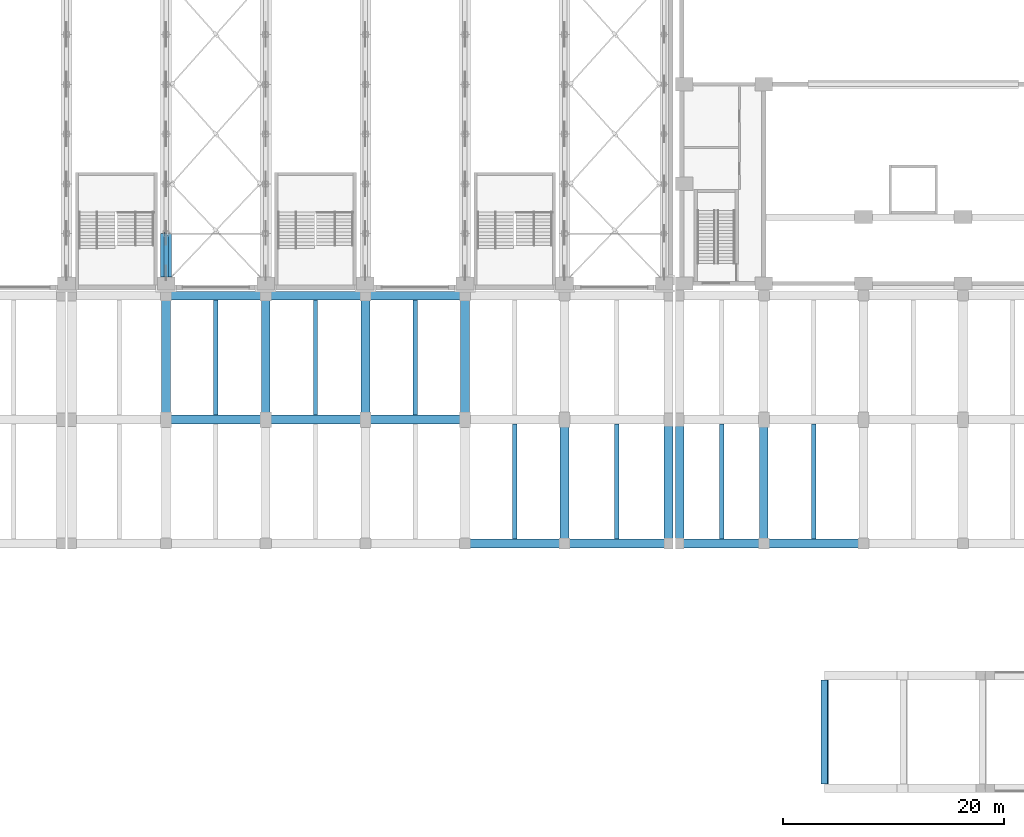
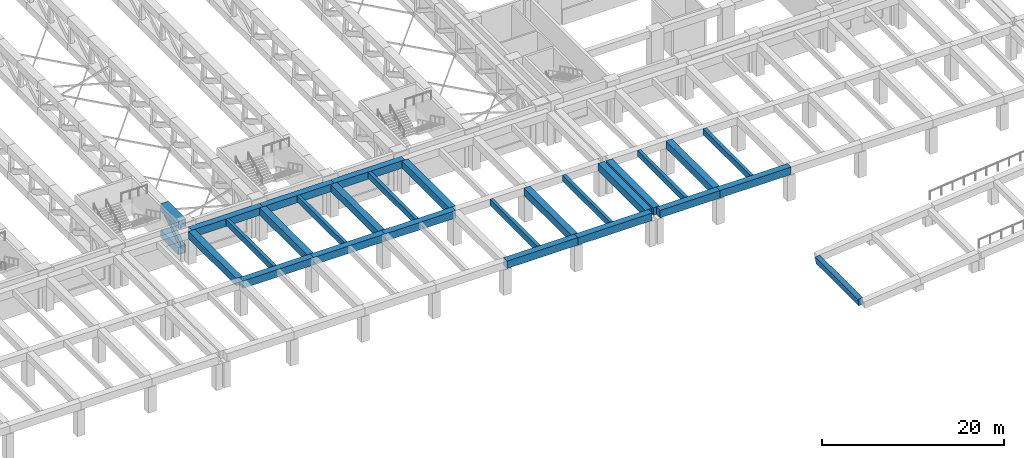
# One storey, part 10 of 76: 26 beams, 3 members.
"""IFC4 building model written with IfcOpenShell, lengths in metres."""

import ifcopenshell
import ifcopenshell.guid

model = None  # the IFC model being written
_history = None  # IfcOwnerHistory: only IFC2X3 demands one
_inside = {}  # id of a spatial element -> (the spatial element, [elements in it])
_under = {}  # id of a project, library or spatial element -> (it, [spatial elements below it])
_declared = {}  # id of a project -> (the project, [libraries it declares])
_typed = {}  # id of a type object -> (the type object, [elements of that type])
_made_of = {}  # id of a material, layer set ... -> (it, [elements and type objects made of it])


def new_model(schema):
    """Start an empty IFC model of exactly this schema.

    Asked for "IFC4X3", IfcOpenShell would pick the latest addendum, in which some entities
    have other attributes; the version numbers below select the first issue.
    IFC2X3 requires an IfcOwnerHistory on every rooted entity: one is made here for all.
    """
    global model, _history
    if schema == "IFC4X3":
        model = ifcopenshell.file(schema_version=(4, 3, 0, 0))
    else:
        model = ifcopenshell.file(schema=schema)
    _inside.clear()
    _under.clear()
    _declared.clear()
    _typed.clear()
    _made_of.clear()
    _history = None
    if model.schema == "IFC2X3":
        org = make("IfcOrganization", Name="unknown")
        user = make(
            "IfcPersonAndOrganization",
            ThePerson=make("IfcPerson", FamilyName="unknown"),
            TheOrganization=org,
        )
        app = make(
            "IfcApplication",
            ApplicationDeveloper=org,
            Version="unknown",
            ApplicationFullName="unknown",
            ApplicationIdentifier="unknown",
        )
        _history = make(
            "IfcOwnerHistory",
            OwningUser=user,
            OwningApplication=app,
            ChangeAction="ADDED",
            CreationDate=0,
        )
    return model


def make(cls, **values):
    """One entity of the class cls with the attributes given. An attribute that is None is left unset."""
    return model.create_entity(
        cls, **{name: value for name, value in values.items() if value is not None}
    )


def rooted(cls, **values):
    """An entity with a GlobalId (a new one), such as an element, a storey or a relation."""
    return make(cls, GlobalId=ifcopenshell.guid.new(), OwnerHistory=_history, **values)


def si_unit(unit_type, name, prefix=None):
    """IfcSIUnit, for example si_unit("LENGTHUNIT", "METRE", prefix="MILLI")."""
    return make("IfcSIUnit", UnitType=unit_type, Prefix=prefix, Name=name)


def assignment(units):
    """IfcUnitAssignment: the units of a project."""
    return None if units is None else make("IfcUnitAssignment", Units=units)


def point(xyz):
    """IfcCartesianPoint."""
    return None if xyz is None else make("IfcCartesianPoint", Coordinates=xyz)


def direction(xyz):
    """IfcDirection."""
    return None if xyz is None else make("IfcDirection", DirectionRatios=xyz)


def frame(location, z_axis=None, x_axis=None):
    """IfcAxis2Placement3D, a coordinate frame: its origin and axes. An axis left out is left unset."""
    return make(
        "IfcAxis2Placement3D",
        Location=point(location),
        Axis=direction(z_axis),
        RefDirection=direction(x_axis),
    )


def frame_2d(location, x_axis=None):
    """IfcAxis2Placement2D, a coordinate frame in the plane: its origin and x axis."""
    return make(
        "IfcAxis2Placement2D", Location=point(location), RefDirection=direction(x_axis)
    )


def origin():
    """The frame at (0, 0, 0) with its axes left unset."""
    return frame((0.0, 0.0, 0.0))


def origin_2d():
    """The frame at (0, 0) in the plane with its x axis left unset."""
    return frame_2d((0.0, 0.0))


def place(relative_to, where):
    """IfcLocalPlacement: puts the frame where relative to a parent placement (None: the world)."""
    return make(
        "IfcLocalPlacement", PlacementRelTo=relative_to, RelativePlacement=where
    )


def context(
    kind, dimensions, precision=None, world=None, true_north=None, identifier=None
):
    """IfcGeometricRepresentationContext, for example the 3D "Model" context."""
    return make(
        "IfcGeometricRepresentationContext",
        ContextIdentifier=identifier,
        ContextType=kind,
        CoordinateSpaceDimension=dimensions,
        Precision=precision,
        WorldCoordinateSystem=world,
        TrueNorth=true_north,
    )


def subcontext(parent, identifier, kind, view, scale=None):
    """IfcGeometricRepresentationSubContext, for example "Body" below "Model"."""
    return make(
        "IfcGeometricRepresentationSubContext",
        ContextIdentifier=identifier,
        ContextType=kind,
        ParentContext=parent,
        TargetScale=scale,
        TargetView=view,
    )


def project(units=None, contexts=None):
    """IfcProject with its units and contexts."""
    return rooted(
        "IfcProject",
        Name="project",
        RepresentationContexts=contexts,
        UnitsInContext=assignment(units),
    )


def spatial(cls, under=None, at=None, **own):
    """A site, building, storey or space (cls), placed at a placement, below another one or the project."""
    s = rooted(cls, ObjectPlacement=at, **own)
    if under is not None:
        _under.setdefault(under.id(), (under, []))[1].append(s)
    return s


def profile(cls, at=None, kind="AREA", **sizes):
    """A parametric profile (cls). Its sizes go by their IFC names, for example OverallWidth=200.0."""
    return make(cls, ProfileType=kind, Position=at, **sizes)


def rectangle(**sizes):
    """IfcRectangleProfileDef."""
    return profile("IfcRectangleProfileDef", **sizes)


def hollow_rectangle(**sizes):
    """IfcRectangleHollowProfileDef."""
    return profile("IfcRectangleHollowProfileDef", **sizes)


def extrude(swept, where, along, depth):
    """IfcExtrudedAreaSolid: the profile swept, set in the frame where, extruded along a direction by depth."""
    return make(
        "IfcExtrudedAreaSolid",
        SweptArea=swept,
        Position=where,
        ExtrudedDirection=direction(along),
        Depth=depth,
    )


def shape(context_of_items, identifier, shape_type, items):
    """IfcShapeRepresentation: the items that make up one representation, for example the "Body"."""
    return make(
        "IfcShapeRepresentation",
        ContextOfItems=context_of_items,
        RepresentationIdentifier=identifier,
        RepresentationType=shape_type,
        Items=items,
    )


def material(Name=None, Category=None):
    """IfcMaterial."""
    return make("IfcMaterial", Name=Name, Category=Category)


def material_profile(
    of_material, cross_section, Name=None, Category=None, Priority=None
):
    """IfcMaterialProfile: a cross section and its material."""
    return make(
        "IfcMaterialProfile",
        Name=Name,
        Material=of_material,
        Profile=cross_section,
        Priority=Priority,
        Category=Category,
    )


def profile_set(profiles, Name=None, composite=None):
    """IfcMaterialProfileSet."""
    return make(
        "IfcMaterialProfileSet",
        Name=Name,
        MaterialProfiles=profiles,
        CompositeProfile=composite,
    )


def made_of(thing, what):
    """Note that an element or type object is made of a material, layer set ...; save() writes the relation."""
    if what is not None:
        _made_of.setdefault(what.id(), (what, []))[1].append(thing)
    return thing


def type_object(cls, material=None, **own):
    """A type object (cls), such as IfcWallType, which elements share."""
    return made_of(rooted(cls, **own), material)


def element(
    cls,
    number,
    at=None,
    inside=None,
    cuts=None,
    type_object=None,
    material=None,
    context=None,
    identifier="Body",
    shape_type=None,
    held_by="IfcProductDefinitionShape",
    body=None,
    shapes=None,
    **own,
):
    """One element of the class cls, such as IfcWall. Its Tag is "e" and its number.

    at: its placement. inside: the storey or other place that contains it. cuts: it is an
    opening in that element (IfcRelVoidsElement). A single representation is given by context,
    identifier, shape_type and body (its items); several are given by shapes. held_by: the class
    of the entity that holds the representations. save() writes the other relations.
    """
    e = rooted(cls, Tag="e%d" % number, ObjectPlacement=at, **own)
    if body is not None:
        shapes = [shape(context, identifier, shape_type, body)]
    if shapes is not None:
        e.Representation = make(held_by, Representations=shapes)
    if inside is not None:
        _inside.setdefault(inside.id(), (inside, []))[1].append(e)
    if cuts is not None:
        rooted(
            "IfcRelVoidsElement", RelatingBuildingElement=cuts, RelatedOpeningElement=e
        )
    if type_object is not None:
        _typed.setdefault(type_object.id(), (type_object, []))[1].append(e)
    return made_of(e, material)


def aggregate(whole, parts):
    """IfcRelAggregates: a whole, such as a stair, and the parts it consists of."""
    return rooted("IfcRelAggregates", RelatingObject=whole, RelatedObjects=parts)


def save(model, path):
    """Write the relations noted so far, then the file.

    IfcRelAggregates (storeys below a building ...), IfcRelContainedInSpatialStructure (elements
    in a storey), IfcRelDefinesByType, IfcRelAssociatesMaterial and IfcRelDeclares: one each for
    every whole, place, type object, material and project.
    """
    for whole, parts in _under.values():
        aggregate(whole, parts)
    for where, things in _inside.values():
        rooted(
            "IfcRelContainedInSpatialStructure",
            RelatedElements=things,
            RelatingStructure=where,
        )
    for kind, things in _typed.values():
        rooted("IfcRelDefinesByType", RelatedObjects=things, RelatingType=kind)
    for what, things in _made_of.values():
        rooted("IfcRelAssociatesMaterial", RelatedObjects=things, RelatingMaterial=what)
    for by, libraries in _declared.values():
        rooted("IfcRelDeclares", RelatingContext=by, RelatedDefinitions=libraries)
    model.write(path)


model = new_model("IFC4")

# Units and contexts
model_context = context("Model", 3, precision=1e-05, world=origin(), true_north=direction((0.0, 1.0)))
body_context = subcontext(model_context, "Body", "Model", "MODEL_VIEW")
ifc_project = project(units=[si_unit("LENGTHUNIT", "METRE"), si_unit("AREAUNIT", "SQUARE_METRE"), si_unit("VOLUMEUNIT", "CUBIC_METRE"), si_unit("PLANEANGLEUNIT", "RADIAN"), si_unit("MASSUNIT", "GRAM", prefix="KILO")], contexts=[model_context])

# Site, building, storey
site_placement = place(None, origin())
site = spatial("IfcSite", under=ifc_project, at=site_placement, CompositionType="ELEMENT")
building_placement = place(site_placement, origin())
building = spatial("IfcBuilding", under=site, at=building_placement, Name="Aravalli Gate Trade Fair Centre", CompositionType="ELEMENT")
storey_placement = place(building_placement, frame((0.0, 0.0, 10.0)))
storey = spatial("IfcBuildingStorey", under=building, at=storey_placement, Name="L02", CompositionType="ELEMENT", Elevation=10.0)

# Beams
ifc_material_1 = material(Name="Concrete M45", Category="concrete")
ifc_material_profile_1 = material_profile(ifc_material_1, rectangle(XDim=0.800048828125, YDim=1.0, at=origin_2d()), Name="Deck girder RC 800 x 1000")
ifc_profile_set_1 = profile_set([ifc_material_profile_1], Name="Concrete M45")
beam_type_1 = type_object("IfcBeamType", Name="Deck girder RC 800 x 1000", PredefinedType="BEAM", material=ifc_profile_set_1)
beam_1_placement = place(storey_placement, frame((87.0, 22.5, 3.89990234375), z_axis=(1.0, 0.0, 0.0), x_axis=(0.0, 1.0, 0.0)))
element("IfcBeam", 1, at=beam_1_placement, inside=storey, type_object=beam_type_1, Name="Beam SB3-032", PredefinedType="BEAM", context=body_context, shape_type="SweptSolid", body=[
    extrude(rectangle(XDim=0.800048828125, YDim=1.0, at=origin_2d()), origin(), (0.0, 0.0, 1.0), 9.0),
])
beam_2_placement = place(storey_placement, frame((96.0, 22.5, 3.89990234375), z_axis=(1.0, 0.0, 0.0), x_axis=(0.0, 1.0, 0.0)))
element("IfcBeam", 2, at=beam_2_placement, inside=storey, type_object=beam_type_1, Name="Beam SB3-033", PredefinedType="BEAM", context=body_context, shape_type="SweptSolid", body=[
    extrude(rectangle(XDim=0.800048828125, YDim=1.0, at=origin_2d()), origin(), (0.0, 0.0, 1.0), 9.39990234375),
])
for number, where, z_axis, x_axis, name in (
    (3, (60.0, 33.699951171875, 3.89990234375), (1.0, 0.0, 0.0), (0.0, 1.0, 0.0), "Beam SB3-035"),
    (4, (69.0, 33.699951171875, 3.89990234375), (1.0, 0.0, 0.0), (0.0, 1.0, 0.0), "Beam SB3-036"),
    (5, (78.0, 33.699951171875, 3.89990234375), (1.0, 0.0, 0.0), (0.0, 1.0, 0.0), "Beam SB3-037"),
    (6, (60.0, 44.89990234375, 3.89990234375), (1.0, 0.0, 0.0), (0.0, 1.0, 0.0), "Beam SB3-041"),
    (7, (69.0, 44.89990234375, 3.89990234375), (1.0, 0.0, 0.0), (0.0, 1.0, 0.0), "Beam SB3-042"),
    (8, (78.0, 44.89990234375, 3.89990234375), (1.0, 0.0, 0.0), (0.0, 1.0, 0.0), "Beam SB3-043"),
):
    element("IfcBeam", number, at=place(storey_placement, frame(where, z_axis=z_axis, x_axis=x_axis)), inside=storey, type_object=beam_type_1, Name=name, PredefinedType="BEAM", context=body_context, shape_type="SweptSolid", body=[
        extrude(rectangle(XDim=0.800048828125, YDim=1.0, at=origin_2d()), origin(), (0.0, 0.0, 1.0), 9.0),
    ])
for number, where, z_axis, x_axis, name in (
    (9, (60.0, 34.10009765625, 3.89990234375), (0.0, 1.0, 0.0), (-1.0, 0.0, 0.0), "Beam SB3-049"),
    (10, (69.0, 34.10009765625, 3.89990234375), (0.0, 1.0, 0.0), (-1.0, 0.0, 0.0), "Beam SB3-051"),
    (11, (78.0, 34.10009765625, 3.89990234375), (0.0, 1.0, 0.0), (-1.0, 0.0, 0.0), "Beam SB3-053"),
    (12, (87.0, 34.10009765625, 3.89990234375), (0.0, 1.0, 0.0), (-1.0, 0.0, 0.0), "Beam SB3-055"),
):
    element("IfcBeam", number, at=place(storey_placement, frame(where, z_axis=z_axis, x_axis=x_axis)), inside=storey, type_object=beam_type_1, Name=name, PredefinedType="BEAM", context=body_context, shape_type="SweptSolid", body=[
        extrude(rectangle(XDim=0.800048828125, YDim=1.0, at=origin_2d()), origin(), (0.0, 0.0, 1.0), 10.39990234375),
    ])
for number, where, z_axis, x_axis, name in (
    (13, (96.0, 22.89990234375, 3.89990234375), (0.0, 1.0, 0.0), (-1.0, 0.0, 0.0), "Beam SB3-056"),
    (14, (105.39990234375, 22.89990234375, 3.89990234375), (0.0, 1.0, 0.0), (-1.0, 0.0, 0.0), "Beam SB3-058"),
):
    element("IfcBeam", number, at=place(storey_placement, frame(where, z_axis=z_axis, x_axis=x_axis)), inside=storey, type_object=beam_type_1, Name=name, PredefinedType="BEAM", context=body_context, shape_type="SweptSolid", body=[
        extrude(rectangle(XDim=0.800048828125, YDim=1.0, at=origin_2d()), origin(), (0.0, 0.0, 1.0), 10.400146484375),
    ])
beam_3_placement = place(storey_placement, frame((106.39990234375, 22.5, 3.89990234375), z_axis=(1.0, 0.0, 0.0), x_axis=(0.0, 1.0, 0.0)))
element("IfcBeam", 15, at=beam_3_placement, inside=storey, type_object=beam_type_1, Name="Beam SB3-060", PredefinedType="BEAM", context=body_context, shape_type="SweptSolid", body=[
    extrude(rectangle(XDim=0.800048828125, YDim=1.0, at=origin_2d()), origin(), (0.0, 0.0, 1.0), 7.60009765625),
])
beam_4_placement = place(storey_placement, frame((114.0, 22.5, 3.89990234375), z_axis=(1.0, 0.0, 0.0), x_axis=(0.0, 1.0, 0.0)))
element("IfcBeam", 16, at=beam_4_placement, inside=storey, type_object=beam_type_1, Name="Beam SB3-061", PredefinedType="BEAM", context=body_context, shape_type="SweptSolid", body=[
    extrude(rectangle(XDim=0.800048828125, YDim=1.0, at=origin_2d()), origin(), (0.0, 0.0, 1.0), 9.0),
])
for number, where, z_axis, x_axis, name in (
    (17, (106.39990234375, 22.89990234375, 3.89990234375), (0.0, 1.0, 0.0), (-1.0, 0.0, 0.0), "Beam SB3-078"),
    (18, (114.0, 22.89990234375, 3.89990234375), (0.0, 1.0, 0.0), (-1.0, 0.0, 0.0), "Beam SB3-080"),
):
    element("IfcBeam", number, at=place(storey_placement, frame(where, z_axis=z_axis, x_axis=x_axis)), inside=storey, type_object=beam_type_1, Name=name, PredefinedType="BEAM", context=body_context, shape_type="SweptSolid", body=[
        extrude(rectangle(XDim=0.800048828125, YDim=1.0, at=origin_2d()), origin(), (0.0, 0.0, 1.0), 10.400146484375),
    ])
ifc_material_profile_2 = material_profile(ifc_material_1, rectangle(XDim=0.39990234375, YDim=0.800048828125, at=origin_2d()), Name="Deck secondary beam RC 400 x 800")
ifc_profile_set_2 = profile_set([ifc_material_profile_2], Name="Concrete M45")
beam_type_2 = type_object("IfcBeamType", Name="Deck secondary beam RC 400 x 800", PredefinedType="BEAM", material=ifc_profile_set_2)
for number, where, z_axis, x_axis, name in (
    (19, (64.5, 34.10009765625, 4.0), (0.0, 1.0, 0.0), (-1.0, 0.0, 0.0), "Beam SB4-014"),
    (20, (73.5, 34.10009765625, 4.0), (0.0, 1.0, 0.0), (-1.0, 0.0, 0.0), "Beam SB4-016"),
    (21, (82.5, 34.10009765625, 4.0), (0.0, 1.0, 0.0), (-1.0, 0.0, 0.0), "Beam SB4-018"),
):
    element("IfcBeam", number, at=place(storey_placement, frame(where, z_axis=z_axis, x_axis=x_axis)), inside=storey, type_object=beam_type_2, Name=name, PredefinedType="BEAM", context=body_context, shape_type="SweptSolid", body=[
        extrude(rectangle(XDim=0.39990234375, YDim=0.800048828125, at=origin_2d()), origin(), (0.0, 0.0, 1.0), 10.39990234375),
    ])
for number, where, z_axis, x_axis, name in (
    (22, (91.5, 22.89990234375, 4.0), (0.0, 1.0, 0.0), (-1.0, 0.0, 0.0), "Beam SB4-019"),
    (23, (100.699951171875, 22.89990234375, 4.0), (0.0, 1.0, 0.0), (-1.0, 0.0, 0.0), "Beam SB4-021"),
    (24, (110.199951171875, 22.89990234375, 4.0), (0.0, 1.0, 0.0), (-1.0, 0.0, 0.0), "Beam SB4-023"),
    (25, (118.5, 22.89990234375, 4.0), (0.0, 1.0, 0.0), (-1.0, 0.0, 0.0), "Beam SB4-025"),
):
    element("IfcBeam", number, at=place(storey_placement, frame(where, z_axis=z_axis, x_axis=x_axis)), inside=storey, type_object=beam_type_2, Name=name, PredefinedType="BEAM", context=body_context, shape_type="SweptSolid", body=[
        extrude(rectangle(XDim=0.39990234375, YDim=0.800048828125, at=origin_2d()), origin(), (0.0, 0.0, 1.0), 10.400146484375),
    ])

# Members
ifc_material_2 = material(Name="Steel E350", Category="steel")
ifc_material_profile_3 = material_profile(ifc_material_2, hollow_rectangle(XDim=1.0, YDim=1.0, WallThickness=0.050048828125, at=origin_2d()), Name="BOX 1000x1000x50")
ifc_profile_set_3 = profile_set([ifc_material_profile_3], Name="Steel E350")
member_type_1 = type_object("IfcMemberType", Name="FT1 chord BOX 1000x1000x50", PredefinedType="CHORD", material=ifc_profile_set_3)
for number, where, z_axis, x_axis, name in (
    (26, (60.0, 46.60009765625, 0.5), (0.0, 1.0, 0.0), (-1.0, 0.0, 0.0), "FT1 line 7 bottom chord 1"),
    (27, (60.0, 46.60009765625, 4.0), (0.0, 1.0, 0.0), (-1.0, 0.0, 0.0), "FT1 line 7 top chord 1"),
):
    element("IfcMember", number, at=place(storey_placement, frame(where, z_axis=z_axis, x_axis=x_axis)), inside=storey, type_object=member_type_1, Name=name, PredefinedType="CHORD", context=body_context, shape_type="SweptSolid", body=[
        extrude(hollow_rectangle(XDim=1.0, YDim=1.0, WallThickness=0.050048828125, at=origin_2d()), origin(), (0.0, 0.0, 1.0), 3.89990234375),
    ])
ifc_material_profile_4 = material_profile(ifc_material_2, hollow_rectangle(XDim=0.39990234375, YDim=0.60009765625, WallThickness=0.030029296875, at=origin_2d()), Name="RHS 600x400x30")
ifc_profile_set_4 = profile_set([ifc_material_profile_4], Name="Steel E350")
member_type_2 = type_object("IfcMemberType", Name="FT1 diagonal RHS 600x400x30", PredefinedType="BRACE", material=ifc_profile_set_4)
member_placement = place(storey_placement, frame((60.0, 46.60009765625, 1.0), z_axis=(0.0, 0.841872999265, 0.53967569253), x_axis=(-1.0, 0.0, 0.0)))
element("IfcMember", 28, at=member_placement, inside=storey, type_object=member_type_2, Name="FT1 line 7 diagonal 1", PredefinedType="BRACE", context=body_context, shape_type="SweptSolid", body=[
    extrude(hollow_rectangle(XDim=0.39990234375, YDim=0.60009765625, WallThickness=0.030029296875, at=origin_2d()), origin(), (0.0, 0.0, 1.0), 4.63232421875),
])

# Beam
ifc_material_profile_5 = material_profile(ifc_material_1, rectangle(XDim=0.60009765625, YDim=0.89990234375, at=origin_2d()), Name="Ramp cross beam RC 600 x 900")
ifc_profile_set_5 = profile_set([ifc_material_profile_5], Name="Concrete M45")
beam_type_3 = type_object("IfcBeamType", Name="Ramp cross beam RC 600 x 900", PredefinedType="BEAM", material=ifc_profile_set_5)
beam_5_placement = place(storey_placement, frame((119.5205078125, 0.800048828125, 0.496826171875), z_axis=(0.0, 1.0, 0.0), x_axis=(-0.995037190449, 0.0, -0.099503716633)))
element("IfcBeam", 29, at=beam_5_placement, inside=storey, type_object=beam_type_3, Name="Beam SB2-012", PredefinedType="BEAM", context=body_context, shape_type="SweptSolid", body=[
    extrude(rectangle(XDim=0.60009765625, YDim=0.89990234375, at=origin_2d()), origin(), (0.0, 0.0, 1.0), 9.39990234375),
])

save(model, "model.ifc")
